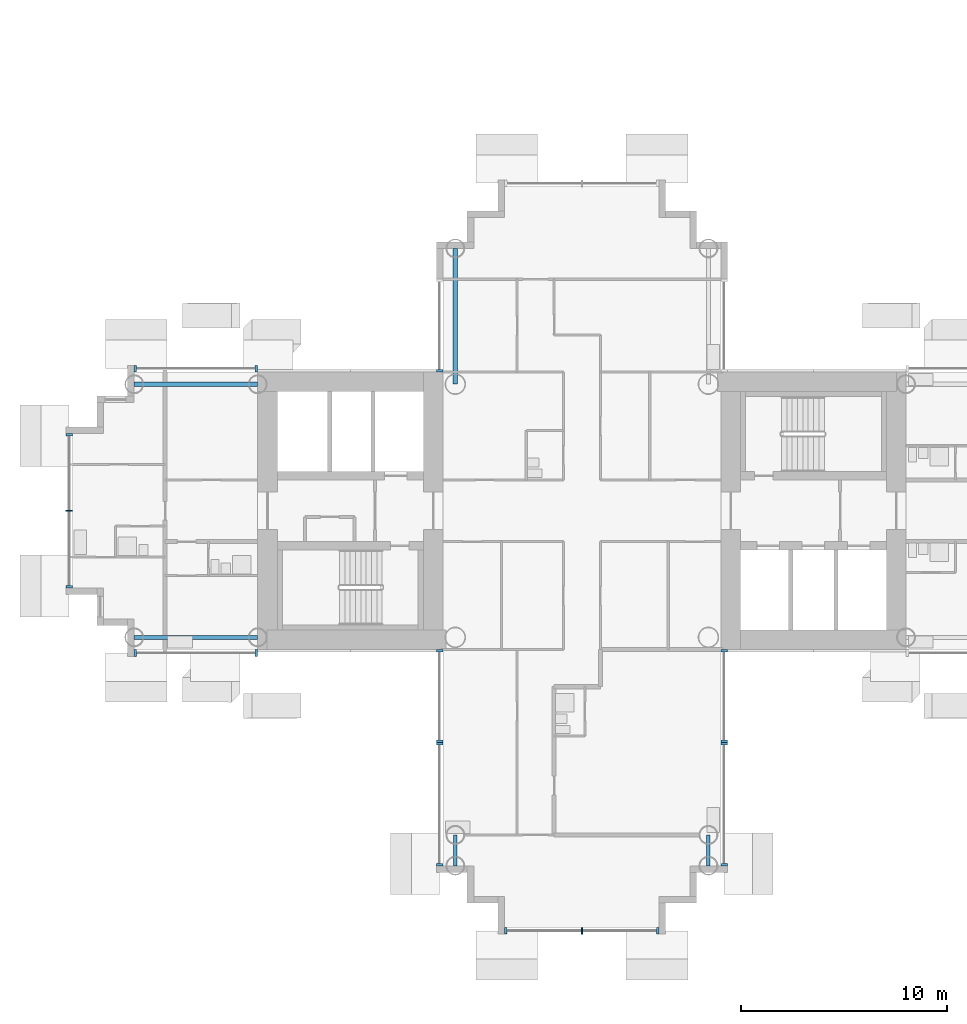
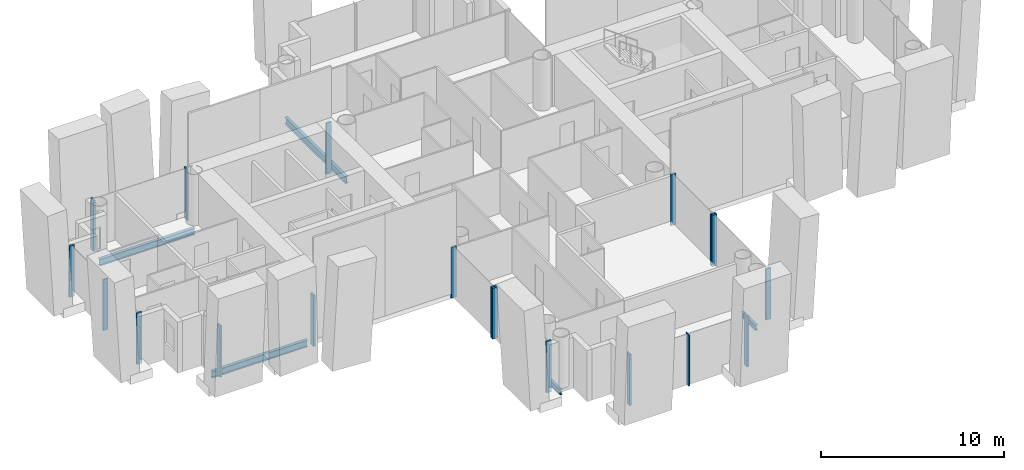
# One storey, part 3 of 21: 19 members, 5 beams, 9 elements without a shape of their own.
"""IFC4 building model written with IfcOpenShell, lengths in metres."""

from ifc_helpers import new_model, si_unit, direction, frame, origin, origin_2d, place, context, subcontext, project, spatial, rectangle, i_section, extrude, material, layer, layer_set, material_profile, profile_set, type_object, element, aggregate, save


model = new_model("IFC4")

# Units and contexts
model_context = context("Model", 3, precision=1e-05, world=origin(), true_north=direction((0.0, 1.0)))
body_context = subcontext(model_context, "Body", "Model", "MODEL_VIEW")
ifc_project = project(units=[si_unit("LENGTHUNIT", "METRE"), si_unit("AREAUNIT", "SQUARE_METRE"), si_unit("VOLUMEUNIT", "CUBIC_METRE"), si_unit("PLANEANGLEUNIT", "RADIAN"), si_unit("MASSUNIT", "GRAM", prefix="KILO")], contexts=[model_context])

# Site, building, storey
site_placement = place(None, origin())
site = spatial("IfcSite", under=ifc_project, at=site_placement, CompositionType="ELEMENT")
building_placement = place(site_placement, origin())
building = spatial("IfcBuilding", under=site, at=building_placement, Name="Ipe Terrace Towers", CompositionType="ELEMENT")
storey_placement = place(building_placement, frame((0.0, 0.0, 114.0)))
storey = spatial("IfcBuildingStorey", under=building, at=storey_placement, Name="L31", CompositionType="ELEMENT", Elevation=114.0)

# Beams
ifc_material_1 = material(Name="Steel S355", Category="steel")
ifc_material_profile_1 = material_profile(ifc_material_1, i_section(OverallWidth=0.175048828125, OverallDepth=0.35009765625, WebThickness=0.007080078125, FlangeThickness=0.010986328125, at=origin_2d()), Name="H-350x175x7x11")
ifc_profile_set_1 = profile_set([ifc_material_profile_1], Name="Steel S355")
beam_type_1 = type_object("IfcBeamType", Name="H04 EDGE BEAM H-350x175x7x11", PredefinedType="BEAM", material=ifc_profile_set_1)
for number, where, z_axis, x_axis, name in (
    (1, (-42.14990234375, -15.75, -0.574951171875), (0.0, -1.0, 0.0), (1.0, 0.0, 0.0), "Edge beam T1-EB-D03-D05"),
    (2, (-29.85009765625, -15.75, -0.574951171875), (0.0, -1.0, 0.0), (1.0, 0.0, 0.0), "Edge beam T1-EB-D04-D06"),
):
    element("IfcBeam", number, at=place(storey_placement, frame(where, z_axis=z_axis, x_axis=x_axis)), inside=storey, type_object=beam_type_1, Name=name, PredefinedType="BEAM", context=body_context, shape_type="SweptSolid", body=[
        extrude(i_section(OverallWidth=0.175048828125, OverallDepth=0.35009765625, WebThickness=0.007080078125, FlangeThickness=0.010986328125, at=origin_2d()), origin(), (0.0, 0.0, 1.0), 1.5),
    ])
ifc_material_2 = material(Name="Steel S355", Category="steel")
ifc_material_profile_2 = material_profile(ifc_material_2, i_section(OverallWidth=0.199951171875, OverallDepth=0.449951171875, WebThickness=0.009033203125, FlangeThickness=0.013916015625, at=origin_2d()), Name="H-450x200x9x14")
ifc_profile_set_2 = profile_set([ifc_material_profile_2], Name="Steel S355")
beam_type_2 = type_object("IfcBeamType", Name="H08 EDGE BEAM H-450x200x9x14", PredefinedType="BEAM", material=ifc_profile_set_2)
beam_placement = place(storey_placement, frame((-42.14990234375, 12.75, -0.625), z_axis=(0.0, -1.0, 0.0), x_axis=(1.0, 0.0, 0.0)))
element("IfcBeam", 3, at=beam_placement, inside=storey, type_object=beam_type_2, Name="Edge beam T1-EB-B02-E04", PredefinedType="BEAM", context=body_context, shape_type="SweptSolid", body=[
    extrude(i_section(OverallWidth=0.199951171875, OverallDepth=0.449951171875, WebThickness=0.009033203125, FlangeThickness=0.013916015625, at=origin_2d()), origin(), (0.0, 0.0, 1.0), 6.60009765625),
])
for number, where, z_axis, x_axis, name in (
    (4, (-51.75, -6.14990234375, -0.625), (-1.0, 0.0, 0.0), (0.0, -1.0, 0.0), "Edge beam T1-EB-C01-C03"),
    (5, (-51.75, 6.14990234375, -0.625), (-1.0, 0.0, 0.0), (0.0, -1.0, 0.0), "Edge beam T1-EB-C02-C04"),
):
    element("IfcBeam", number, at=place(storey_placement, frame(where, z_axis=z_axis, x_axis=x_axis)), inside=storey, type_object=beam_type_2, Name=name, PredefinedType="BEAM", context=body_context, shape_type="SweptSolid", body=[
        extrude(i_section(OverallWidth=0.199951171875, OverallDepth=0.449951171875, WebThickness=0.009033203125, FlangeThickness=0.013916015625, at=origin_2d()), origin(), (0.0, 0.0, 1.0), 6.0),
    ])

# Curtain wall, members
ifc_material_3 = material(Name="Aluminium alloy 6063-T6", Category="aluminium")
ifc_layer = layer(ifc_material_3, 0.320068359375)
ifc_layer_set = layer_set([ifc_layer], Name="TOWER UNITISED CURTAIN WALL")
curtain_wall_type = type_object("IfcCurtainWallType", Name="TOWER UNITISED CURTAIN WALL", PredefinedType="NOTDEFINED", material=ifc_layer_set)
curtain_wall_1_placement = place(storey_placement, origin())
curtain_wall_1 = element("IfcCurtainWall", 6, at=curtain_wall_1_placement, inside=storey, type_object=curtain_wall_type, Name="T1-CW-L31-04a curtain wall", PredefinedType="NOTDEFINED")
ifc_material_4 = material(Name="Aluminium alloy 6063-T6", Category="aluminium")
ifc_material_profile_3 = material_profile(ifc_material_4, rectangle(XDim=0.320068359375, YDim=0.1201171875, at=origin_2d()), Name="TOWER UNITISED CORNER MULLION 320 x 120")
ifc_profile_set_3 = profile_set([ifc_material_profile_3], Name="Aluminium alloy 6063-T6")
member_type_1 = type_object("IfcMemberType", Name="TOWER UNITISED CORNER MULLION 320 x 120", PredefinedType="MULLION", material=ifc_profile_set_3)
member_1_placement = place(storey_placement, frame((-57.68994140625, -6.909912109375, -0.300048828125), z_axis=(0.0, 0.0, 1.0), x_axis=(0.0, -1.0, 0.0)))
member_1 = element("IfcMember", 7, at=member_1_placement, type_object=member_type_1, Name="T1-CW-L31-04a mullion 1", PredefinedType="MULLION", context=body_context, shape_type="SweptSolid", body=[
    extrude(rectangle(XDim=0.320068359375, YDim=0.1201171875, at=origin_2d()), origin(), (0.0, 0.0, 1.0), 3.400146484375),
])
member_2_placement = place(storey_placement, frame((-51.81103515625, -6.909912109375, -0.300048828125), z_axis=(0.0, 0.0, 1.0), x_axis=(0.0, -1.0, 0.0)))
member_2 = element("IfcMember", 8, at=member_2_placement, type_object=member_type_1, Name="T1-CW-L31-04a mullion 2", PredefinedType="MULLION", context=body_context, shape_type="SweptSolid", body=[
    extrude(rectangle(XDim=0.320068359375, YDim=0.1201171875, at=origin_2d()), origin(), (0.0, 0.0, 1.0), 3.400146484375),
])
aggregate(curtain_wall_1, [member_1, member_2])

curtain_wall_2_placement = place(storey_placement, origin())
curtain_wall_2 = element("IfcCurtainWall", 9, at=curtain_wall_2_placement, inside=storey, type_object=curtain_wall_type, Name="T1-CW-L31-06a curtain wall", PredefinedType="NOTDEFINED")
member_3_placement = place(storey_placement, frame((-42.909912109375, -6.81005859375, -0.300048828125), z_axis=(0.0, 0.0, 1.0), x_axis=(-1.0, 0.0, 0.0)))
member_3 = element("IfcMember", 10, at=member_3_placement, type_object=member_type_1, Name="T1-CW-L31-06a mullion 1", PredefinedType="MULLION", context=body_context, shape_type="SweptSolid", body=[
    extrude(rectangle(XDim=0.320068359375, YDim=0.1201171875, at=origin_2d()), origin(), (0.0, 0.0, 1.0), 3.400146484375),
])
member_4_placement = place(storey_placement, frame((-42.909912109375, -11.18994140625, -0.300048828125), z_axis=(0.0, 0.0, 1.0), x_axis=(-1.0, 0.0, 0.0)))
member_4 = element("IfcMember", 11, at=member_4_placement, type_object=member_type_1, Name="T1-CW-L31-06a mullion 2", PredefinedType="MULLION", context=body_context, shape_type="SweptSolid", body=[
    extrude(rectangle(XDim=0.320068359375, YDim=0.1201171875, at=origin_2d()), origin(), (0.0, 0.0, 1.0), 3.400146484375),
])
aggregate(curtain_wall_2, [member_3, member_4])

curtain_wall_3_placement = place(storey_placement, origin())
curtain_wall_3 = element("IfcCurtainWall", 12, at=curtain_wall_3_placement, inside=storey, type_object=curtain_wall_type, Name="T1-CW-L31-07a curtain wall", PredefinedType="NOTDEFINED")
member_5_placement = place(storey_placement, frame((-42.909912109375, -11.31005859375, -0.300048828125), z_axis=(0.0, 0.0, 1.0), x_axis=(-1.0, 0.0, 0.0)))
member_5 = element("IfcMember", 13, at=member_5_placement, type_object=member_type_1, Name="T1-CW-L31-07a mullion 1", PredefinedType="MULLION", context=body_context, shape_type="SweptSolid", body=[
    extrude(rectangle(XDim=0.320068359375, YDim=0.1201171875, at=origin_2d()), origin(), (0.0, 0.0, 1.0), 3.400146484375),
])
member_6_placement = place(storey_placement, frame((-42.909912109375, -17.18994140625, -0.300048828125), z_axis=(0.0, 0.0, 1.0), x_axis=(-1.0, 0.0, 0.0)))
member_6 = element("IfcMember", 14, at=member_6_placement, type_object=member_type_1, Name="T1-CW-L31-07a mullion 2", PredefinedType="MULLION", context=body_context, shape_type="SweptSolid", body=[
    extrude(rectangle(XDim=0.320068359375, YDim=0.1201171875, at=origin_2d()), origin(), (0.0, 0.0, 1.0), 3.400146484375),
])
aggregate(curtain_wall_3, [member_5, member_6])

curtain_wall_4_placement = place(storey_placement, origin())
curtain_wall_4 = element("IfcCurtainWall", 15, at=curtain_wall_4_placement, inside=storey, type_object=curtain_wall_type, Name="T1-CW-L31-12a curtain wall", PredefinedType="NOTDEFINED")
member_7_placement = place(storey_placement, frame((-39.68994140625, -20.409912109375, -0.300048828125), z_axis=(0.0, 0.0, 1.0), x_axis=(0.0, -1.0, 0.0)))
member_7 = element("IfcMember", 16, at=member_7_placement, type_object=member_type_1, Name="T1-CW-L31-12a mullion 1", PredefinedType="MULLION", context=body_context, shape_type="SweptSolid", body=[
    extrude(rectangle(XDim=0.320068359375, YDim=0.1201171875, at=origin_2d()), origin(), (0.0, 0.0, 1.0), 3.400146484375),
])
member_8_placement = place(storey_placement, frame((-32.31005859375, -20.409912109375, -0.300048828125), z_axis=(0.0, 0.0, 1.0), x_axis=(0.0, -1.0, 0.0)))
member_8 = element("IfcMember", 17, at=member_8_placement, type_object=member_type_1, Name="T1-CW-L31-12a mullion 3", PredefinedType="MULLION", context=body_context, shape_type="SweptSolid", body=[
    extrude(rectangle(XDim=0.320068359375, YDim=0.1201171875, at=origin_2d()), origin(), (0.0, 0.0, 1.0), 3.400146484375),
])

curtain_wall_5_placement = place(storey_placement, origin())
curtain_wall_5 = element("IfcCurtainWall", 18, at=curtain_wall_5_placement, inside=storey, type_object=curtain_wall_type, Name="T1-CW-L31-17a curtain wall", PredefinedType="NOTDEFINED")
member_9_placement = place(storey_placement, frame((-29.090087890625, -17.18994140625, -0.300048828125), z_axis=(0.0, 0.0, 1.0), x_axis=(1.0, 0.0, 0.0)))
member_9 = element("IfcMember", 19, at=member_9_placement, type_object=member_type_1, Name="T1-CW-L31-17a mullion 1", PredefinedType="MULLION", context=body_context, shape_type="SweptSolid", body=[
    extrude(rectangle(XDim=0.320068359375, YDim=0.1201171875, at=origin_2d()), origin(), (0.0, 0.0, 1.0), 3.400146484375),
])
member_10_placement = place(storey_placement, frame((-29.090087890625, -11.31005859375, -0.300048828125), z_axis=(0.0, 0.0, 1.0), x_axis=(1.0, 0.0, 0.0)))
member_10 = element("IfcMember", 20, at=member_10_placement, type_object=member_type_1, Name="T1-CW-L31-17a mullion 2", PredefinedType="MULLION", context=body_context, shape_type="SweptSolid", body=[
    extrude(rectangle(XDim=0.320068359375, YDim=0.1201171875, at=origin_2d()), origin(), (0.0, 0.0, 1.0), 3.400146484375),
])
aggregate(curtain_wall_5, [member_9, member_10])

curtain_wall_6_placement = place(storey_placement, origin())
curtain_wall_6 = element("IfcCurtainWall", 21, at=curtain_wall_6_placement, inside=storey, type_object=curtain_wall_type, Name="T1-CW-L31-18a curtain wall", PredefinedType="NOTDEFINED")
member_11_placement = place(storey_placement, frame((-29.090087890625, -11.18994140625, -0.300048828125), z_axis=(0.0, 0.0, 1.0), x_axis=(1.0, 0.0, 0.0)))
member_11 = element("IfcMember", 22, at=member_11_placement, type_object=member_type_1, Name="T1-CW-L31-18a mullion 1", PredefinedType="MULLION", context=body_context, shape_type="SweptSolid", body=[
    extrude(rectangle(XDim=0.320068359375, YDim=0.1201171875, at=origin_2d()), origin(), (0.0, 0.0, 1.0), 3.400146484375),
])
member_12_placement = place(storey_placement, frame((-29.090087890625, -6.81005859375, -0.300048828125), z_axis=(0.0, 0.0, 1.0), x_axis=(1.0, 0.0, 0.0)))
member_12 = element("IfcMember", 23, at=member_12_placement, type_object=member_type_1, Name="T1-CW-L31-18a mullion 2", PredefinedType="MULLION", context=body_context, shape_type="SweptSolid", body=[
    extrude(rectangle(XDim=0.320068359375, YDim=0.1201171875, at=origin_2d()), origin(), (0.0, 0.0, 1.0), 3.400146484375),
])
aggregate(curtain_wall_6, [member_11, member_12])

# Curtain wall, member
curtain_wall_7_placement = place(storey_placement, origin())
curtain_wall_7 = element("IfcCurtainWall", 24, at=curtain_wall_7_placement, inside=storey, type_object=curtain_wall_type, Name="T1-CW-L31-44a curtain wall", PredefinedType="NOTDEFINED")
member_13_placement = place(storey_placement, frame((-42.909912109375, 6.81005859375, -0.300048828125), z_axis=(0.0, 0.0, 1.0), x_axis=(-1.0, 0.0, 0.0)))
member_13 = element("IfcMember", 25, at=member_13_placement, type_object=member_type_1, Name="T1-CW-L31-44a mullion 2", PredefinedType="MULLION", context=body_context, shape_type="SweptSolid", body=[
    extrude(rectangle(XDim=0.320068359375, YDim=0.1201171875, at=origin_2d()), origin(), (0.0, 0.0, 1.0), 3.400146484375),
])
aggregate(curtain_wall_7, [member_13])

# Curtain wall, members
curtain_wall_8_placement = place(storey_placement, origin())
curtain_wall_8 = element("IfcCurtainWall", 26, at=curtain_wall_8_placement, inside=storey, type_object=curtain_wall_type, Name="T1-CW-L31-46b curtain wall", PredefinedType="NOTDEFINED")
member_14_placement = place(storey_placement, frame((-51.81103515625, 6.909912109375, -0.300048828125), z_axis=(0.0, 0.0, 1.0), x_axis=(0.0, 1.0, 0.0)))
member_14 = element("IfcMember", 27, at=member_14_placement, type_object=member_type_1, Name="T1-CW-L31-46b mullion 1", PredefinedType="MULLION", context=body_context, shape_type="SweptSolid", body=[
    extrude(rectangle(XDim=0.320068359375, YDim=0.1201171875, at=origin_2d()), origin(), (0.0, 0.0, 1.0), 3.400146484375),
])
member_15_placement = place(storey_placement, frame((-57.68994140625, 6.909912109375, -0.300048828125), z_axis=(0.0, 0.0, 1.0), x_axis=(0.0, 1.0, 0.0)))
member_15 = element("IfcMember", 28, at=member_15_placement, type_object=member_type_1, Name="T1-CW-L31-46b mullion 2", PredefinedType="MULLION", context=body_context, shape_type="SweptSolid", body=[
    extrude(rectangle(XDim=0.320068359375, YDim=0.1201171875, at=origin_2d()), origin(), (0.0, 0.0, 1.0), 3.400146484375),
])
aggregate(curtain_wall_8, [member_14, member_15])

curtain_wall_9_placement = place(storey_placement, origin())
curtain_wall_9 = element("IfcCurtainWall", 29, at=curtain_wall_9_placement, inside=storey, type_object=curtain_wall_type, Name="T1-CW-L31-51a curtain wall", PredefinedType="NOTDEFINED")
member_16_placement = place(storey_placement, frame((-60.909912109375, 3.68994140625, -0.300048828125), z_axis=(0.0, 0.0, 1.0), x_axis=(-1.0, 0.0, 0.0)))
member_16 = element("IfcMember", 30, at=member_16_placement, type_object=member_type_1, Name="T1-CW-L31-51a mullion 1", PredefinedType="MULLION", context=body_context, shape_type="SweptSolid", body=[
    extrude(rectangle(XDim=0.320068359375, YDim=0.1201171875, at=origin_2d()), origin(), (0.0, 0.0, 1.0), 3.400146484375),
])
member_17_placement = place(storey_placement, frame((-60.909912109375, -3.68994140625, -0.300048828125), z_axis=(0.0, 0.0, 1.0), x_axis=(-1.0, 0.0, 0.0)))
member_17 = element("IfcMember", 31, at=member_17_placement, type_object=member_type_1, Name="T1-CW-L31-51a mullion 3", PredefinedType="MULLION", context=body_context, shape_type="SweptSolid", body=[
    extrude(rectangle(XDim=0.320068359375, YDim=0.1201171875, at=origin_2d()), origin(), (0.0, 0.0, 1.0), 3.400146484375),
])

# Member
ifc_material_5 = material(Name="Aluminium alloy 6063-T6", Category="aluminium")
ifc_material_profile_4 = material_profile(ifc_material_5, rectangle(XDim=0.320068359375, YDim=0.06494140625, at=origin_2d()), Name="TOWER UNITISED MULLION 320 x 65")
ifc_profile_set_4 = profile_set([ifc_material_profile_4], Name="Aluminium alloy 6063-T6")
member_type_2 = type_object("IfcMemberType", Name="TOWER UNITISED MULLION 320 x 65", PredefinedType="MULLION", material=ifc_profile_set_4)
member_18_placement = place(storey_placement, frame((-36.0, -20.409912109375, -0.300048828125), z_axis=(0.0, 0.0, 1.0), x_axis=(0.0, -1.0, 0.0)))
member_18 = element("IfcMember", 32, at=member_18_placement, type_object=member_type_2, Name="T1-CW-L31-12a mullion 2", PredefinedType="MULLION", context=body_context, shape_type="SweptSolid", body=[
    extrude(rectangle(XDim=0.320068359375, YDim=0.06494140625, at=origin_2d()), origin(), (0.0, 0.0, 1.0), 3.400146484375),
])

aggregate(curtain_wall_4, [member_7, member_18, member_8])

member_19_placement = place(storey_placement, frame((-60.909912109375, 0.0, -0.300048828125), z_axis=(0.0, 0.0, 1.0), x_axis=(-1.0, 0.0, 0.0)))
member_19 = element("IfcMember", 33, at=member_19_placement, type_object=member_type_2, Name="T1-CW-L31-51a mullion 2", PredefinedType="MULLION", context=body_context, shape_type="SweptSolid", body=[
    extrude(rectangle(XDim=0.320068359375, YDim=0.06494140625, at=origin_2d()), origin(), (0.0, 0.0, 1.0), 3.400146484375),
])

aggregate(curtain_wall_9, [member_16, member_19, member_17])

save(model, "model.ifc")
